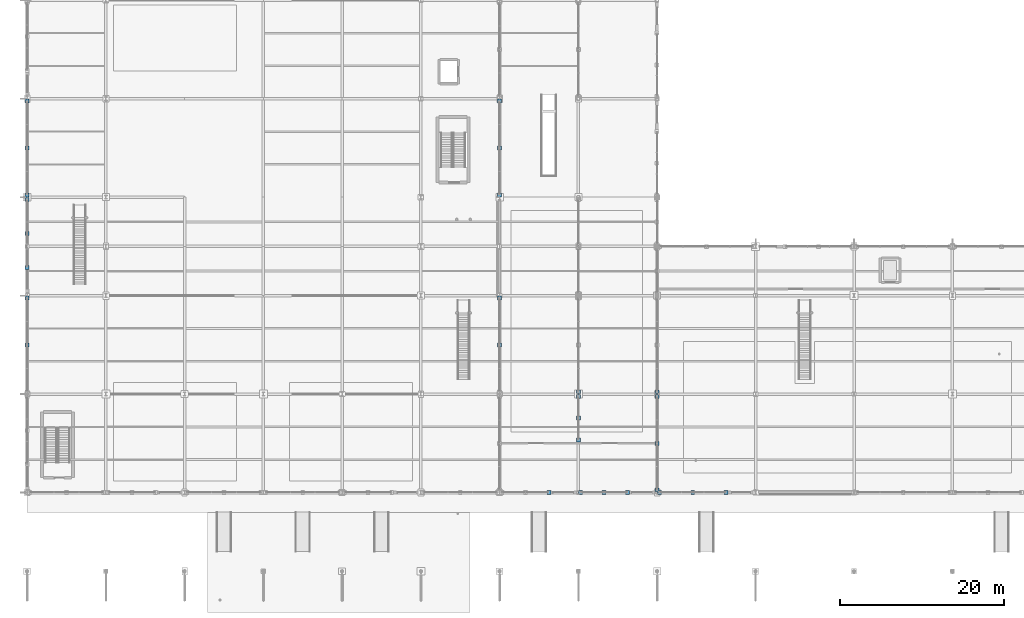
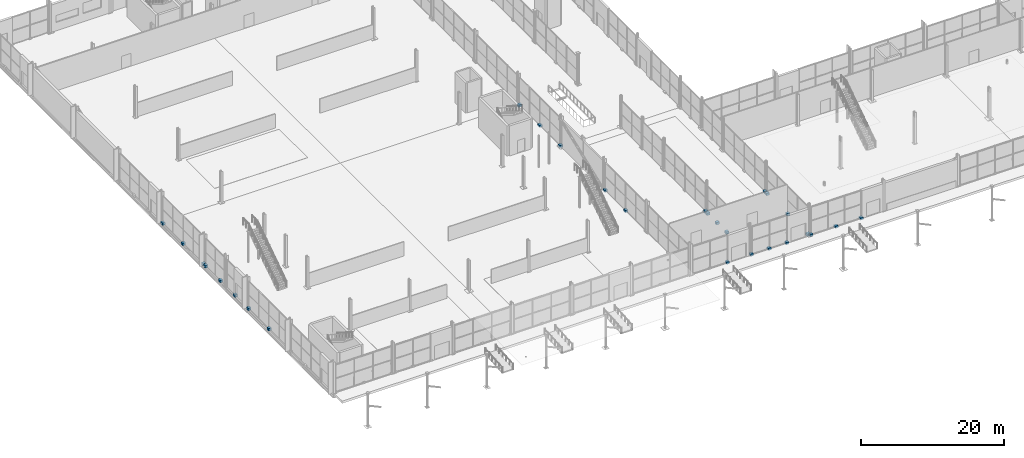
# One storey, part 182 of 196: 28 discrete accessories.
"""IFC4 building model written with IfcOpenShell, lengths in metres."""

from ifc_helpers import new_model, si_unit, direction, frame, origin, origin_2d, place, context, subcontext, project, spatial, rectangle, extrude, material, layer, layer_set, type_object, element, save


model = new_model("IFC4")

# Units and contexts
model_context = context("Model", 3, precision=1e-05, world=origin(), true_north=direction((0.0, 1.0)))
body_context = subcontext(model_context, "Body", "Model", "MODEL_VIEW")
ifc_project = project(units=[si_unit("LENGTHUNIT", "METRE"), si_unit("AREAUNIT", "SQUARE_METRE"), si_unit("VOLUMEUNIT", "CUBIC_METRE"), si_unit("PLANEANGLEUNIT", "RADIAN"), si_unit("MASSUNIT", "GRAM", prefix="KILO")], contexts=[model_context])

# Site, building, storey
site_placement = place(None, origin())
site = spatial("IfcSite", under=ifc_project, at=site_placement, CompositionType="ELEMENT")
building_placement = place(site_placement, origin())
building = spatial("IfcBuilding", under=site, at=building_placement, Name="Merenkruunu Market Hall", CompositionType="ELEMENT")
storey_placement = place(building_placement, origin())
storey = spatial("IfcBuildingStorey", under=building, at=storey_placement, Name="L00", CompositionType="ELEMENT", Elevation=0.0)

# Discrete accessories
ifc_material = material(Name="Brushed stainless steel", Category="steel")
ifc_layer = layer(ifc_material, 0.159912109375)
ifc_layer_set = layer_set([ifc_layer], Name="Brushed stainless steel")
discrete_accessory_type = type_object("IfcDiscreteAccessoryType", Name="Stainless Facade Support Bracket BRK01", PredefinedType="BRACKET", material=ifc_layer_set)
for number, where, z_axis, x_axis, name in (
    (1, (0.0, 33.60009765625, -0.199951171875), (0.0, 0.0, 1.0), (1.0, 0.0, 0.0), "ACC-CWBRK-004-2"),
    (2, (0.0, 39.320068359375, -0.199951171875), (0.0, 0.0, 1.0), (1.0, 0.0, 0.0), "ACC-CWBRK-004-3"),
    (3, (0.0, 43.050048828125, -0.199951171875), (0.0, 0.0, 1.0), (1.0, 0.0, 0.0), "ACC-CWBRK-007-1"),
    (4, (0.0, 47.18505859375, -0.199951171875), (0.0, 0.0, 1.0), (1.0, 0.0, 0.0), "ACC-CWBRK-007-2"),
    (5, (0.0, 51.320068359375, -0.199951171875), (0.0, 0.0, 1.0), (1.0, 0.0, 0.0), "ACC-CWBRK-007-3"),
    (6, (0.0, 51.8798828125, -0.199951171875), (0.0, 0.0, 1.0), (1.0, 0.0, 0.0), "ACC-CWBRK-010-1"),
    (7, (0.0, 57.60009765625, -0.199951171875), (0.0, 0.0, 1.0), (1.0, 0.0, 0.0), "ACC-CWBRK-010-2"),
    (8, (0.0, 63.320068359375, -0.199951171875), (0.0, 0.0, 1.0), (1.0, 0.0, 0.0), "ACC-CWBRK-010-3"),
    (9, (57.60009765625, 33.60009765625, -0.199951171875), (0.0, 0.0, 1.0), (1.0, 0.0, 0.0), "ACC-CWBRK-124-2"),
    (10, (57.60009765625, 39.320068359375, -0.199951171875), (0.0, 0.0, 1.0), (1.0, 0.0, 0.0), "ACC-CWBRK-124-3"),
    (11, (57.60009765625, 51.8798828125, -0.199951171875), (0.0, 0.0, 1.0), (1.0, 0.0, 0.0), "ACC-CWBRK-127-1"),
    (12, (57.60009765625, 57.60009765625, -0.199951171875), (0.0, 0.0, 1.0), (1.0, 0.0, 0.0), "ACC-CWBRK-127-2"),
    (13, (57.60009765625, 63.320068359375, -0.199951171875), (0.0, 0.0, 1.0), (1.0, 0.0, 0.0), "ACC-CWBRK-127-3"),
    (14, (63.60009765625, 15.60009765625, -0.199951171875), (0.0, 0.0, 1.0), (1.0, 0.0, 0.0), "ACC-CWBRK-139-1"),
    (15, (73.199951171875, 15.60009765625, -0.199951171875), (0.0, 0.0, 1.0), (1.0, 0.0, 0.0), "ACC-CWBRK-145-1"),
    (16, (70.340087890625, 15.60009765625, -0.199951171875), (0.0, 0.0, 1.0), (1.0, 0.0, 0.0), "ACC-CWBRK-145-2"),
    (17, (67.47998046875, 15.60009765625, -0.199951171875), (0.0, 0.0, 1.0), (1.0, 0.0, 0.0), "ACC-CWBRK-145-3"),
    (18, (76.800048828125, 15.8798828125, -0.199951171875), (0.0, 0.0, 1.0), (1.0, 0.0, 0.0), "ACC-CWBRK-151-1"),
    (19, (76.800048828125, 21.60009765625, -0.199951171875), (0.0, 0.0, 1.0), (1.0, 0.0, 0.0), "ACC-CWBRK-151-2"),
    (20, (76.800048828125, 27.320068359375, -0.199951171875), (0.0, 0.0, 1.0), (1.0, 0.0, 0.0), "ACC-CWBRK-151-3"),
    (21, (76.800048828125, 27.8798828125, -0.199951171875), (0.0, 0.0, 1.0), (1.0, 0.0, 0.0), "ACC-CWBRK-152-1"),
    (22, (67.199951171875, 22.0, -0.199951171875), (0.0, 0.0, 1.0), (1.0, 0.0, 0.0), "ACC-CWBRK-168-1"),
    (23, (67.199951171875, 24.659912109375, -0.199951171875), (0.0, 0.0, 1.0), (1.0, 0.0, 0.0), "ACC-CWBRK-168-2"),
    (24, (67.199951171875, 27.320068359375, -0.199951171875), (0.0, 0.0, 1.0), (1.0, 0.0, 0.0), "ACC-CWBRK-168-3"),
    (25, (67.199951171875, 27.8798828125, -0.199951171875), (0.0, 0.0, 1.0), (1.0, 0.0, 0.0), "ACC-CWBRK-170-1"),
    (26, (85.199951171875, 15.60009765625, -0.199951171875), (0.0, 0.0, 1.0), (1.0, 0.0, 0.0), "ACC-CWBRK-180-1"),
    (27, (81.139892578125, 15.60009765625, -0.199951171875), (0.0, 0.0, 1.0), (1.0, 0.0, 0.0), "ACC-CWBRK-180-2"),
    (28, (77.080078125, 15.60009765625, -0.199951171875), (0.0, 0.0, 1.0), (1.0, 0.0, 0.0), "ACC-CWBRK-180-3"),
):
    element("IfcDiscreteAccessory", number, at=place(storey_placement, frame(where, z_axis=z_axis, x_axis=x_axis)), inside=storey, type_object=discrete_accessory_type, Name=name, PredefinedType="BRACKET", context=body_context, shape_type="SweptSolid", body=[
        extrude(rectangle(XDim=0.47998046875, YDim=0.47998046875, at=origin_2d()), origin(), (0.0, 0.0, 1.0), 0.39990234375),
    ])

save(model, "model.ifc")
